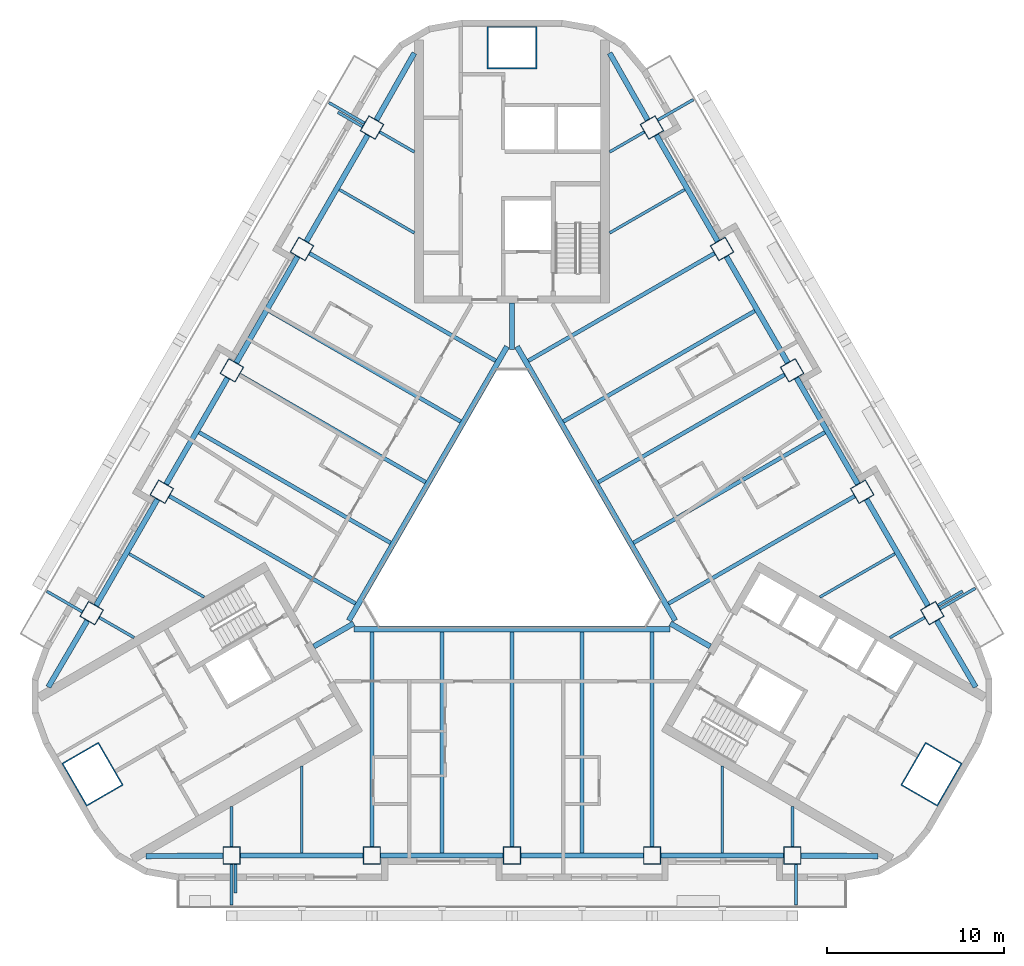
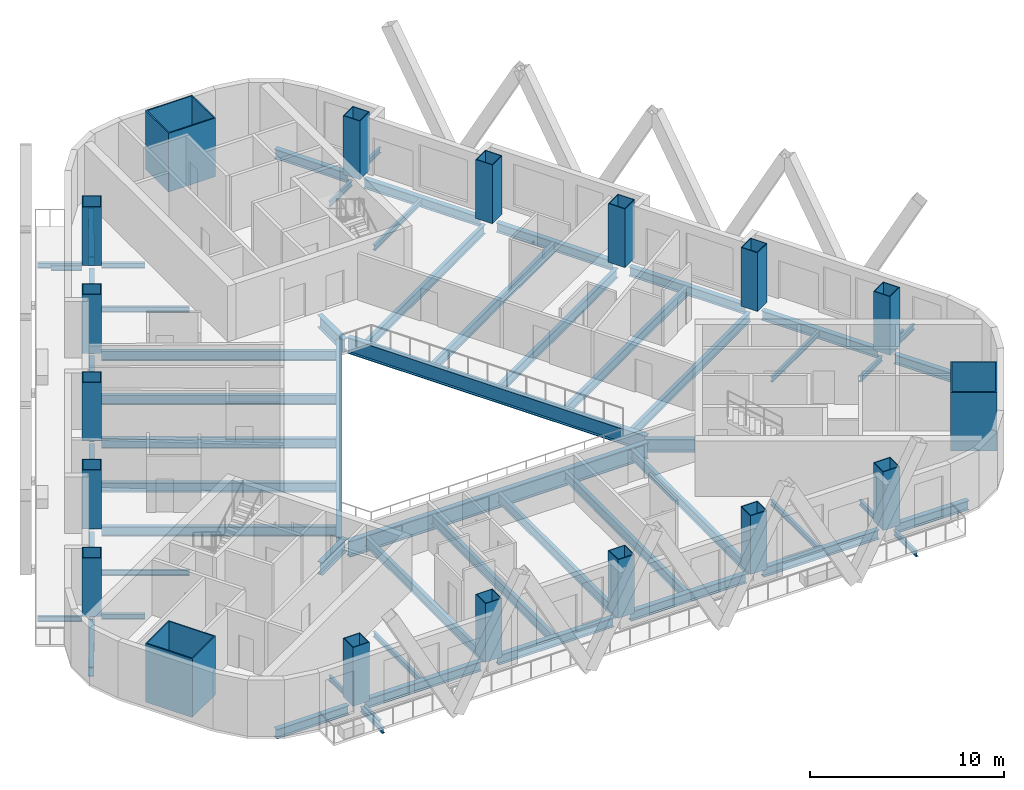
# One storey, part 1 of 14: 60 beams, 18 columns.
"""IFC4 building model written with IfcOpenShell, lengths in metres."""

from ifc_helpers import new_model, si_unit, direction, frame, origin, origin_2d, place, context, subcontext, project, spatial, rectangle, hollow_rectangle, i_section, extrude, material, material_profile, profile_set, type_object, element, save


model = new_model("IFC4")

# Units and contexts
model_context = context("Model", 3, precision=1e-05, world=origin(), true_north=direction((0.0, 1.0)))
body_context = subcontext(model_context, "Body", "Model", "MODEL_VIEW")
ifc_project = project(units=[si_unit("LENGTHUNIT", "METRE"), si_unit("AREAUNIT", "SQUARE_METRE"), si_unit("VOLUMEUNIT", "CUBIC_METRE"), si_unit("PLANEANGLEUNIT", "RADIAN"), si_unit("MASSUNIT", "GRAM", prefix="KILO")], contexts=[model_context])

# Site, building, storey
site_placement = place(None, origin())
site = spatial("IfcSite", under=ifc_project, at=site_placement, CompositionType="ELEMENT")
building_placement = place(site_placement, origin())
building = spatial("IfcBuilding", under=site, at=building_placement, Name="Apuvela Tower Hotel", CompositionType="ELEMENT")
storey_placement = place(building_placement, frame((0.0, 0.0, 53.89990234375)))
storey = spatial("IfcBuildingStorey", under=building, at=storey_placement, Name="L10", CompositionType="ELEMENT", Elevation=53.89990234375)

# Columns
ifc_material_1 = material(Name="Steel S460", Category="steel")
ifc_material_profile_1 = material_profile(ifc_material_1, hollow_rectangle(XDim=2.800048828125, YDim=2.39990234375, WallThickness=0.070068359375, at=origin_2d()), Name="BOX 2800x2400x70")
ifc_material_2 = material(Name="Concrete C80/95", Category="concrete")
ifc_material_profile_2 = material_profile(ifc_material_2, rectangle(XDim=2.659912109375, YDim=2.260009765625, at=origin_2d()), Name="Concrete C80/95 infill")
ifc_profile_set_1 = profile_set([ifc_material_profile_1, ifc_material_profile_2], Name="Steel S460")
column_type_1 = type_object("IfcColumnType", Name="STR-MC mega column BOX 2800x2400x70", PredefinedType="COLUMN", material=ifc_profile_set_1)
for number, where, z_axis, x_axis, name in (
    (1, (0.0, 27.300048828125, 0.0), (0.0, 0.0, 1.0), (1.0, 0.0, 0.0), "Mega column MC2 N"),
    (2, (-23.642578125, -13.64990234375, 0.0), (0.0, 0.0, 1.0), (-0.5, 0.866025403784, 0.0), "Mega column MC2 SW"),
    (3, (23.642578125, -13.64990234375, 0.0), (0.0, 0.0, 1.0), (0.5, 0.866025403784, 0.0), "Mega column MC2 SE"),
):
    element("IfcColumn", number, at=place(storey_placement, frame(where, z_axis=z_axis, x_axis=x_axis)), inside=storey, type_object=column_type_1, Name=name, PredefinedType="COLUMN", context=body_context, shape_type="SweptSolid", body=[
        extrude(hollow_rectangle(XDim=2.800048828125, YDim=2.39990234375, WallThickness=0.070068359375, at=origin_2d()), origin(), (0.0, 0.0, 1.0), 3.7001953125),
    ])
ifc_material_profile_3 = material_profile(ifc_material_1, hollow_rectangle(XDim=1.0, YDim=1.0, WallThickness=0.044921875, at=origin_2d()), Name="BOX 1000x1000x45")
ifc_material_profile_4 = material_profile(ifc_material_2, rectangle(XDim=0.909912109375, YDim=0.909912109375, at=origin_2d()), Name="Concrete C80/95 infill")
ifc_profile_set_2 = profile_set([ifc_material_profile_3, ifc_material_profile_4], Name="Steel S460")
column_type_2 = type_object("IfcColumnType", Name="STR-PC perimeter column BOX 1000x1000x45", PredefinedType="COLUMN", material=ifc_profile_set_2)
for number, where, z_axis, x_axis, name in (
    (4, (-15.800048828125, -18.22998046875, 0.0), (0.0, 0.0, 1.0), (-1.0, 0.0, 0.0), "Perimeter column C2 S1"),
    (5, (-7.89990234375, -18.22998046875, 0.0), (0.0, 0.0, 1.0), (-1.0, 0.0, 0.0), "Perimeter column C2 S2"),
    (6, (0.0, -18.22998046875, 0.0), (0.0, 0.0, 1.0), (-1.0, 0.0, 0.0), "Perimeter column C2 S3"),
    (7, (7.89990234375, -18.22998046875, 0.0), (0.0, 0.0, 1.0), (-1.0, 0.0, 0.0), "Perimeter column C2 S4"),
    (8, (15.800048828125, -18.22998046875, 0.0), (0.0, 0.0, 1.0), (-1.0, 0.0, 0.0), "Perimeter column C2 S5"),
    (9, (23.6875, -4.568115234375, 0.0), (0.0, 0.0, 1.0), (-0.5, 0.866025403784, 0.0), "Perimeter column C2 NE1"),
    (10, (19.737548828125, 2.2734375, 0.0), (0.0, 0.0, 1.0), (-0.5, 0.866025403784, 0.0), "Perimeter column C2 NE2"),
    (11, (15.78759765625, 9.114990234375, 0.0), (0.0, 0.0, 1.0), (-0.5, 0.866025403784, 0.0), "Perimeter column C2 NE3"),
    (12, (11.837646484375, 15.95654296875, 0.0), (0.0, 0.0, 1.0), (-0.5, 0.866025403784, 0.0), "Perimeter column C2 NE4"),
    (13, (7.8876953125, 22.798095703125, 0.0), (0.0, 0.0, 1.0), (-0.5, 0.866025403784, 0.0), "Perimeter column C2 NE5"),
    (14, (-7.8876953125, 22.798095703125, 0.0), (0.0, 0.0, 1.0), (0.5, 0.866025403784, 0.0), "Perimeter column C2 NW1"),
    (15, (-11.837646484375, 15.95654296875, 0.0), (0.0, 0.0, 1.0), (0.5, 0.866025403784, 0.0), "Perimeter column C2 NW2"),
    (16, (-15.78759765625, 9.114990234375, 0.0), (0.0, 0.0, 1.0), (0.5, 0.866025403784, 0.0), "Perimeter column C2 NW3"),
    (17, (-19.737548828125, 2.2734375, 0.0), (0.0, 0.0, 1.0), (0.5, 0.866025403784, 0.0), "Perimeter column C2 NW4"),
    (18, (-23.6875, -4.568115234375, 0.0), (0.0, 0.0, 1.0), (0.5, 0.866025403784, 0.0), "Perimeter column C2 NW5"),
):
    element("IfcColumn", number, at=place(storey_placement, frame(where, z_axis=z_axis, x_axis=x_axis)), inside=storey, type_object=column_type_2, Name=name, PredefinedType="COLUMN", context=body_context, shape_type="SweptSolid", body=[
        extrude(hollow_rectangle(XDim=1.0, YDim=1.0, WallThickness=0.044921875, at=origin_2d()), origin(), (0.0, 0.0, 1.0), 3.7001953125),
    ])

# Beams
ifc_material_3 = material(Name="Steel S355", Category="steel")
ifc_material_profile_5 = material_profile(ifc_material_3, i_section(OverallWidth=0.159912109375, OverallDepth=0.330078125, WebThickness=0.007568359375, FlangeThickness=0.011474609375, at=origin_2d()), Name="IPE 330")
ifc_profile_set_3 = profile_set([ifc_material_profile_5], Name="Steel S355")
beam_type_1 = type_object("IfcBeamType", Name="ENV-BALCONY-BEAM-IPE330", PredefinedType="BEAM", material=ifc_profile_set_3)
beam_1_placement = place(storey_placement, frame((-15.800048828125, -18.72998046875, -0.31494140625), z_axis=(0.0, -1.0, 0.0), x_axis=(1.0, 0.0, 0.0)))
element("IfcBeam", 19, at=beam_1_placement, inside=storey, type_object=beam_type_1, Name="Balcony cantilever beam S1 L10", PredefinedType="BEAM", context=body_context, shape_type="SweptSolid", body=[
    extrude(i_section(OverallWidth=0.159912109375, OverallDepth=0.330078125, WebThickness=0.007568359375, FlangeThickness=0.011474609375, at=origin_2d()), origin(), (0.0, 0.0, 1.0), 2.300048828125),
])
beam_2_placement = place(storey_placement, frame((-15.580078125, -18.72998046875, -0.31494140625), z_axis=(0.0, -1.0, 0.0), x_axis=(1.0, 0.0, 0.0)))
element("IfcBeam", 20, at=beam_2_placement, inside=storey, type_object=beam_type_1, Name="Balcony cantilever beam S2 L10", PredefinedType="BEAM", context=body_context, shape_type="SweptSolid", body=[
    extrude(i_section(OverallWidth=0.159912109375, OverallDepth=0.330078125, WebThickness=0.007568359375, FlangeThickness=0.011474609375, at=origin_2d()), origin(), (0.0, 0.0, 1.0), 1.60009765625),
])
for number, where, z_axis, x_axis, name in (
    (21, (16.0, -18.72998046875, -0.31494140625), (0.0, -1.0, 0.0), (1.0, 0.0, 0.0), "Balcony cantilever beam S3 L10"),
    (22, (24.12060546875, -4.318115234375, -0.31494140625), (0.866053019151, 0.499952165731, 0.0), (-0.499952165731, 0.866053019151, 0.0), "Balcony cantilever beam NE1 L10"),
):
    element("IfcBeam", number, at=place(storey_placement, frame(where, z_axis=z_axis, x_axis=x_axis)), inside=storey, type_object=beam_type_1, Name=name, PredefinedType="BEAM", context=body_context, shape_type="SweptSolid", body=[
        extrude(i_section(OverallWidth=0.159912109375, OverallDepth=0.330078125, WebThickness=0.007568359375, FlangeThickness=0.011474609375, at=origin_2d()), origin(), (0.0, 0.0, 1.0), 2.300048828125),
    ])
beam_3_placement = place(storey_placement, frame((24.0107421875, -4.127685546875, -0.31494140625), z_axis=(0.865989903783, 0.500061482766, 0.0), x_axis=(-0.500061482766, 0.865989903783, 0.0)))
element("IfcBeam", 23, at=beam_3_placement, inside=storey, type_object=beam_type_1, Name="Balcony cantilever beam NE2 L10", PredefinedType="BEAM", context=body_context, shape_type="SweptSolid", body=[
    extrude(i_section(OverallWidth=0.159912109375, OverallDepth=0.330078125, WebThickness=0.007568359375, FlangeThickness=0.011474609375, at=origin_2d()), origin(), (0.0, 0.0, 1.0), 1.599853515625),
])
beam_4_placement = place(storey_placement, frame((8.220703125, 23.221435546875, -0.31494140625), z_axis=(0.86602648383, 0.499998129301, 0.0), x_axis=(-0.499998129301, 0.86602648383, 0.0)))
element("IfcBeam", 24, at=beam_4_placement, inside=storey, type_object=beam_type_1, Name="Balcony cantilever beam NE3 L10", PredefinedType="BEAM", context=body_context, shape_type="SweptSolid", body=[
    extrude(i_section(OverallWidth=0.159912109375, OverallDepth=0.330078125, WebThickness=0.007568359375, FlangeThickness=0.011474609375, at=origin_2d()), origin(), (0.0, 0.0, 1.0), 2.2998046875),
])
beam_5_placement = place(storey_placement, frame((-8.32080078125, 23.048095703125, -0.31494140625), z_axis=(-0.865980515519, 0.500077740698, 0.0), x_axis=(-0.500077740698, -0.865980515519, 0.0)))
element("IfcBeam", 25, at=beam_5_placement, inside=storey, type_object=beam_type_1, Name="Balcony cantilever beam NW1 L10", PredefinedType="BEAM", context=body_context, shape_type="SweptSolid", body=[
    extrude(i_section(OverallWidth=0.159912109375, OverallDepth=0.330078125, WebThickness=0.007568359375, FlangeThickness=0.011474609375, at=origin_2d()), origin(), (0.0, 0.0, 1.0), 2.300048828125),
])
beam_6_placement = place(storey_placement, frame((-8.4306640625, 22.857666015625, -0.31494140625), z_axis=(-0.866028054938, 0.499995408039, 0.0), x_axis=(-0.499995408039, -0.866028054938, 0.0)))
element("IfcBeam", 26, at=beam_6_placement, inside=storey, type_object=beam_type_1, Name="Balcony cantilever beam NW2 L10", PredefinedType="BEAM", context=body_context, shape_type="SweptSolid", body=[
    extrude(i_section(OverallWidth=0.159912109375, OverallDepth=0.330078125, WebThickness=0.007568359375, FlangeThickness=0.011474609375, at=origin_2d()), origin(), (0.0, 0.0, 1.0), 1.60009765625),
])
beam_7_placement = place(storey_placement, frame((-24.220703125, -4.491455078125, -0.31494140625), z_axis=(-0.865980515519, 0.500077740698, 0.0), x_axis=(-0.500077740698, -0.865980515519, 0.0)))
element("IfcBeam", 27, at=beam_7_placement, inside=storey, type_object=beam_type_1, Name="Balcony cantilever beam NW3 L10", PredefinedType="BEAM", context=body_context, shape_type="SweptSolid", body=[
    extrude(i_section(OverallWidth=0.159912109375, OverallDepth=0.330078125, WebThickness=0.007568359375, FlangeThickness=0.011474609375, at=origin_2d()), origin(), (0.0, 0.0, 1.0), 2.300048828125),
])
ifc_material_profile_6 = material_profile(ifc_material_3, i_section(OverallWidth=0.159912109375, OverallDepth=0.330078125, WebThickness=0.007568359375, FlangeThickness=0.011474609375, at=origin_2d()), Name="IPE 330")
ifc_profile_set_4 = profile_set([ifc_material_profile_6], Name="Steel S355")
beam_type_2 = type_object("IfcBeamType", Name="STR-B floor beam IPE 330", PredefinedType="BEAM", material=ifc_profile_set_4)
beam_8_placement = place(storey_placement, frame((23.254638671875, -4.818115234375, -0.31494140625), z_axis=(-0.865991034588, -0.500059524469, 0.0), x_axis=(0.500059524469, -0.865991034588, 0.0)))
element("IfcBeam", 28, at=beam_8_placement, inside=storey, type_object=beam_type_2, Name="Floor beam B1 NE1", PredefinedType="BEAM", context=body_context, shape_type="SweptSolid", body=[
    extrude(i_section(OverallWidth=0.159912109375, OverallDepth=0.330078125, WebThickness=0.007568359375, FlangeThickness=0.011474609375, at=origin_2d()), origin(), (0.0, 0.0, 1.0), 2.257080078125),
])
for number, where, z_axis, x_axis, name in (
    (29, (21.582763671875, -1.222412109375, -0.31494140625), (-0.866015056278, -0.500017921979, 0.0), (0.500017921979, -0.866015056278, 0.0), "Floor beam B1 NE2"),
    (30, (9.732666015625, 19.302490234375, -0.31494140625), (-0.866015056278, -0.500017921979, 0.0), (0.500017921979, -0.866015056278, 0.0), "Floor beam B1 NE8"),
):
    element("IfcBeam", number, at=place(storey_placement, frame(where, z_axis=z_axis, x_axis=x_axis)), inside=storey, type_object=beam_type_2, Name=name, PredefinedType="BEAM", context=body_context, shape_type="SweptSolid", body=[
        extrude(i_section(OverallWidth=0.159912109375, OverallDepth=0.330078125, WebThickness=0.007568359375, FlangeThickness=0.011474609375, at=origin_2d()), origin(), (0.0, 0.0, 1.0), 4.887451171875),
    ])
for number, where, z_axis, x_axis, name in (
    (31, (7.45458984375, 22.548095703125, -0.31494140625), (-0.86603787505, -0.499978398512, 0.0), (0.499978398512, -0.86603787505, 0.0), "Floor beam B1 NE9"),
    (32, (-7.45458984375, 22.548095703125, -0.31494140625), (0.86603787505, -0.499978398512, 0.0), (0.499978398512, 0.86603787505, 0.0), "Floor beam B1 NW1"),
):
    element("IfcBeam", number, at=place(storey_placement, frame(where, z_axis=z_axis, x_axis=x_axis)), inside=storey, type_object=beam_type_2, Name=name, PredefinedType="BEAM", context=body_context, shape_type="SweptSolid", body=[
        extrude(i_section(OverallWidth=0.159912109375, OverallDepth=0.330078125, WebThickness=0.007568359375, FlangeThickness=0.011474609375, at=origin_2d()), origin(), (0.0, 0.0, 1.0), 2.2568359375),
    ])
for number, where, z_axis, x_axis, name in (
    (33, (-9.732666015625, 19.302490234375, -0.31494140625), (0.866015056278, -0.500017921979, 0.0), (0.500017921979, 0.866015056278, 0.0), "Floor beam B1 NW2"),
    (34, (-21.582763671875, -1.222412109375, -0.31494140625), (0.866015056278, -0.500017921979, 0.0), (0.500017921979, 0.866015056278, 0.0), "Floor beam B1 NW8"),
):
    element("IfcBeam", number, at=place(storey_placement, frame(where, z_axis=z_axis, x_axis=x_axis)), inside=storey, type_object=beam_type_2, Name=name, PredefinedType="BEAM", context=body_context, shape_type="SweptSolid", body=[
        extrude(i_section(OverallWidth=0.159912109375, OverallDepth=0.330078125, WebThickness=0.007568359375, FlangeThickness=0.011474609375, at=origin_2d()), origin(), (0.0, 0.0, 1.0), 4.887451171875),
    ])
for number, where, z_axis, x_axis, name in (
    (35, (-23.254638671875, -4.818115234375, -0.31494140625), (0.865991034588, -0.500059524469, 0.0), (0.500059524469, 0.865991034588, 0.0), "Floor beam B1 NW9"),
    (36, (-15.800048828125, -17.72998046875, -0.31494140625), (0.0, 1.0, 0.0), (-1.0, 0.0, 0.0), "Floor beam B1 S1"),
):
    element("IfcBeam", number, at=place(storey_placement, frame(where, z_axis=z_axis, x_axis=x_axis)), inside=storey, type_object=beam_type_2, Name=name, PredefinedType="BEAM", context=body_context, shape_type="SweptSolid", body=[
        extrude(i_section(OverallWidth=0.159912109375, OverallDepth=0.330078125, WebThickness=0.007568359375, FlangeThickness=0.011474609375, at=origin_2d()), origin(), (0.0, 0.0, 1.0), 2.257080078125),
    ])
for number, where, z_axis, x_axis, name in (
    (37, (-11.85009765625, -18.080078125, -0.31494140625), (0.0, 1.0, 0.0), (-1.0, 0.0, 0.0), "Floor beam B1 S2"),
    (38, (11.85009765625, -18.080078125, -0.31494140625), (0.0, 1.0, 0.0), (-1.0, 0.0, 0.0), "Floor beam B1 S8"),
):
    element("IfcBeam", number, at=place(storey_placement, frame(where, z_axis=z_axis, x_axis=x_axis)), inside=storey, type_object=beam_type_2, Name=name, PredefinedType="BEAM", context=body_context, shape_type="SweptSolid", body=[
        extrude(i_section(OverallWidth=0.159912109375, OverallDepth=0.330078125, WebThickness=0.007568359375, FlangeThickness=0.011474609375, at=origin_2d()), origin(), (0.0, 0.0, 1.0), 4.8876953125),
    ])
beam_9_placement = place(storey_placement, frame((15.800048828125, -17.72998046875, -0.31494140625), z_axis=(0.0, 1.0, 0.0), x_axis=(-1.0, 0.0, 0.0)))
element("IfcBeam", 39, at=beam_9_placement, inside=storey, type_object=beam_type_2, Name="Floor beam B1 S9", PredefinedType="BEAM", context=body_context, shape_type="SweptSolid", body=[
    extrude(i_section(OverallWidth=0.159912109375, OverallDepth=0.330078125, WebThickness=0.007568359375, FlangeThickness=0.011474609375, at=origin_2d()), origin(), (0.0, 0.0, 1.0), 2.257080078125),
])
ifc_material_profile_7 = material_profile(ifc_material_3, i_section(OverallWidth=0.219970703125, OverallDepth=0.60009765625, WebThickness=0.011962890625, FlangeThickness=0.01904296875, at=origin_2d()), Name="IPE 600")
ifc_profile_set_5 = profile_set([ifc_material_profile_7], Name="Steel S355")
beam_type_3 = type_object("IfcBeamType", Name="STR-B floor beam IPE 600", PredefinedType="BEAM", material=ifc_profile_set_5)
beam_10_placement = place(storey_placement, frame((19.3046875, 2.0234375, -0.449951171875), z_axis=(-0.866027098151, -0.499997065259, 0.0), x_axis=(0.499997065259, -0.866027098151, 0.0)))
element("IfcBeam", 40, at=beam_10_placement, inside=storey, type_object=beam_type_3, Name="Floor beam B8 NE3", PredefinedType="BEAM", context=body_context, shape_type="SweptSolid", body=[
    extrude(i_section(OverallWidth=0.219970703125, OverallDepth=0.60009765625, WebThickness=0.011962890625, FlangeThickness=0.01904296875, at=origin_2d()), origin(), (0.0, 0.0, 1.0), 12.10791015625),
])
beam_11_placement = place(storey_placement, frame((17.6328125, 5.619140625, -0.449951171875), z_axis=(-0.866027636335, -0.499996133089, 0.0), x_axis=(0.499996133089, -0.866027636335, 0.0)))
element("IfcBeam", 41, at=beam_11_placement, inside=storey, type_object=beam_type_3, Name="Floor beam B8 NE4", PredefinedType="BEAM", context=body_context, shape_type="SweptSolid", body=[
    extrude(i_section(OverallWidth=0.219970703125, OverallDepth=0.60009765625, WebThickness=0.011962890625, FlangeThickness=0.01904296875, at=origin_2d()), origin(), (0.0, 0.0, 1.0), 12.4580078125),
])
beam_12_placement = place(storey_placement, frame((15.3544921875, 8.864990234375, -0.449951171875), z_axis=(-0.866022057176, -0.500005796451, 0.0), x_axis=(0.500005796451, -0.866022057176, 0.0)))
element("IfcBeam", 42, at=beam_12_placement, inside=storey, type_object=beam_type_3, Name="Floor beam B8 NE5", PredefinedType="BEAM", context=body_context, shape_type="SweptSolid", body=[
    extrude(i_section(OverallWidth=0.219970703125, OverallDepth=0.60009765625, WebThickness=0.011962890625, FlangeThickness=0.01904296875, at=origin_2d()), origin(), (0.0, 0.0, 1.0), 12.107666015625),
])
beam_13_placement = place(storey_placement, frame((13.6826171875, 12.460693359375, -0.449951171875), z_axis=(-0.866022737053, -0.500004618886, 0.0), x_axis=(0.500004618886, -0.866022737053, 0.0)))
element("IfcBeam", 43, at=beam_13_placement, inside=storey, type_object=beam_type_3, Name="Floor beam B8 NE6", PredefinedType="BEAM", context=body_context, shape_type="SweptSolid", body=[
    extrude(i_section(OverallWidth=0.219970703125, OverallDepth=0.60009765625, WebThickness=0.011962890625, FlangeThickness=0.01904296875, at=origin_2d()), origin(), (0.0, 0.0, 1.0), 12.4580078125),
])
for number, where, z_axis, x_axis, name in (
    (44, (11.404541015625, 15.70654296875, -0.449951171875), (-0.866027098151, -0.499997065259, 0.0), (0.499997065259, -0.866027098151, 0.0), "Floor beam B8 NE7"),
    (45, (-11.404541015625, 15.70654296875, -0.449951171875), (0.866027098151, -0.499997065259, 0.0), (0.499997065259, 0.866027098151, 0.0), "Floor beam B8 NW3"),
):
    element("IfcBeam", number, at=place(storey_placement, frame(where, z_axis=z_axis, x_axis=x_axis)), inside=storey, type_object=beam_type_3, Name=name, PredefinedType="BEAM", context=body_context, shape_type="SweptSolid", body=[
        extrude(i_section(OverallWidth=0.219970703125, OverallDepth=0.60009765625, WebThickness=0.011962890625, FlangeThickness=0.01904296875, at=origin_2d()), origin(), (0.0, 0.0, 1.0), 12.10791015625),
    ])
beam_14_placement = place(storey_placement, frame((-13.6826171875, 12.460693359375, -0.449951171875), z_axis=(0.866022737053, -0.500004618886, 0.0), x_axis=(0.500004618886, 0.866022737053, 0.0)))
element("IfcBeam", 46, at=beam_14_placement, inside=storey, type_object=beam_type_3, Name="Floor beam B8 NW4", PredefinedType="BEAM", context=body_context, shape_type="SweptSolid", body=[
    extrude(i_section(OverallWidth=0.219970703125, OverallDepth=0.60009765625, WebThickness=0.011962890625, FlangeThickness=0.01904296875, at=origin_2d()), origin(), (0.0, 0.0, 1.0), 12.4580078125),
])
beam_15_placement = place(storey_placement, frame((-15.3544921875, 8.864990234375, -0.449951171875), z_axis=(0.866022057176, -0.500005796451, 0.0), x_axis=(0.500005796451, 0.866022057176, 0.0)))
element("IfcBeam", 47, at=beam_15_placement, inside=storey, type_object=beam_type_3, Name="Floor beam B8 NW5", PredefinedType="BEAM", context=body_context, shape_type="SweptSolid", body=[
    extrude(i_section(OverallWidth=0.219970703125, OverallDepth=0.60009765625, WebThickness=0.011962890625, FlangeThickness=0.01904296875, at=origin_2d()), origin(), (0.0, 0.0, 1.0), 12.107666015625),
])
beam_16_placement = place(storey_placement, frame((-17.6328125, 5.619140625, -0.449951171875), z_axis=(0.866027636335, -0.499996133089, 0.0), x_axis=(0.499996133089, 0.866027636335, 0.0)))
element("IfcBeam", 48, at=beam_16_placement, inside=storey, type_object=beam_type_3, Name="Floor beam B8 NW6", PredefinedType="BEAM", context=body_context, shape_type="SweptSolid", body=[
    extrude(i_section(OverallWidth=0.219970703125, OverallDepth=0.60009765625, WebThickness=0.011962890625, FlangeThickness=0.01904296875, at=origin_2d()), origin(), (0.0, 0.0, 1.0), 12.4580078125),
])
for number, where, z_axis, x_axis, name in (
    (49, (-19.3046875, 2.0234375, -0.449951171875), (0.866027098151, -0.499997065259, 0.0), (0.499997065259, 0.866027098151, 0.0), "Floor beam B8 NW7"),
    (50, (-7.89990234375, -17.72998046875, -0.449951171875), (0.0, 1.0, 0.0), (-1.0, 0.0, 0.0), "Floor beam B8 S3"),
):
    element("IfcBeam", number, at=place(storey_placement, frame(where, z_axis=z_axis, x_axis=x_axis)), inside=storey, type_object=beam_type_3, Name=name, PredefinedType="BEAM", context=body_context, shape_type="SweptSolid", body=[
        extrude(i_section(OverallWidth=0.219970703125, OverallDepth=0.60009765625, WebThickness=0.011962890625, FlangeThickness=0.01904296875, at=origin_2d()), origin(), (0.0, 0.0, 1.0), 12.10791015625),
    ])
beam_17_placement = place(storey_placement, frame((-3.949951171875, -18.080078125, -0.449951171875), z_axis=(0.0, 1.0, 0.0), x_axis=(-1.0, 0.0, 0.0)))
element("IfcBeam", 51, at=beam_17_placement, inside=storey, type_object=beam_type_3, Name="Floor beam B8 S4", PredefinedType="BEAM", context=body_context, shape_type="SweptSolid", body=[
    extrude(i_section(OverallWidth=0.219970703125, OverallDepth=0.60009765625, WebThickness=0.011962890625, FlangeThickness=0.01904296875, at=origin_2d()), origin(), (0.0, 0.0, 1.0), 12.4580078125),
])
beam_18_placement = place(storey_placement, frame((0.0, -17.72998046875, -0.449951171875), z_axis=(0.0, 1.0, 0.0), x_axis=(-1.0, 0.0, 0.0)))
element("IfcBeam", 52, at=beam_18_placement, inside=storey, type_object=beam_type_3, Name="Floor beam B8 S5", PredefinedType="BEAM", context=body_context, shape_type="SweptSolid", body=[
    extrude(i_section(OverallWidth=0.219970703125, OverallDepth=0.60009765625, WebThickness=0.011962890625, FlangeThickness=0.01904296875, at=origin_2d()), origin(), (0.0, 0.0, 1.0), 12.10791015625),
])
beam_19_placement = place(storey_placement, frame((3.949951171875, -18.080078125, -0.449951171875), z_axis=(0.0, 1.0, 0.0), x_axis=(-1.0, 0.0, 0.0)))
element("IfcBeam", 53, at=beam_19_placement, inside=storey, type_object=beam_type_3, Name="Floor beam B8 S6", PredefinedType="BEAM", context=body_context, shape_type="SweptSolid", body=[
    extrude(i_section(OverallWidth=0.219970703125, OverallDepth=0.60009765625, WebThickness=0.011962890625, FlangeThickness=0.01904296875, at=origin_2d()), origin(), (0.0, 0.0, 1.0), 12.4580078125),
])
beam_20_placement = place(storey_placement, frame((7.89990234375, -17.72998046875, -0.449951171875), z_axis=(0.0, 1.0, 0.0), x_axis=(-1.0, 0.0, 0.0)))
element("IfcBeam", 54, at=beam_20_placement, inside=storey, type_object=beam_type_3, Name="Floor beam B8 S7", PredefinedType="BEAM", context=body_context, shape_type="SweptSolid", body=[
    extrude(i_section(OverallWidth=0.219970703125, OverallDepth=0.60009765625, WebThickness=0.011962890625, FlangeThickness=0.01904296875, at=origin_2d()), origin(), (0.0, 0.0, 1.0), 12.10791015625),
])
ifc_material_profile_8 = material_profile(ifc_material_3, i_section(OverallWidth=0.302001953125, OverallDepth=1.008056640625, WebThickness=0.02099609375, FlangeThickness=0.0400390625, at=origin_2d()), Name="HE 1000 M")
ifc_profile_set_6 = profile_set([ifc_material_profile_8], Name="Steel S355")
beam_type_4 = type_object("IfcBeamType", Name="STR-G atrium ring girder HE 1000 M", PredefinedType="BEAM", material=ifc_profile_set_6)
for number, where, z_axis, x_axis, name in (
    (55, (-0.28076171875, 10.455810546875, -0.65380859375), (-0.500000611842, -0.866025050537, 0.0), (0.866025050537, -0.500000611842, 0.0), "Atrium ring girder G1 N-SW"),
    (56, (-8.91455078125, -5.470947265625, -0.65380859375), (1.0, 0.0, 0.0), (0.0, 1.0, 0.0), "Atrium ring girder G1 SW-SE"),
    (57, (9.1953125, -4.984619140625, -0.65380859375), (-0.500000611842, 0.866025050537, 0.0), (-0.866025050537, -0.500000611842, 0.0), "Atrium ring girder G1 SE-N"),
):
    element("IfcBeam", number, at=place(storey_placement, frame(where, z_axis=z_axis, x_axis=x_axis)), inside=storey, type_object=beam_type_4, Name=name, PredefinedType="BEAM", context=body_context, shape_type="SweptSolid", body=[
        extrude(i_section(OverallWidth=0.302001953125, OverallDepth=1.008056640625, WebThickness=0.02099609375, FlangeThickness=0.0400390625, at=origin_2d()), origin(), (0.0, 0.0, 1.0), 17.8291015625),
    ])
ifc_material_profile_9 = material_profile(ifc_material_3, i_section(OverallWidth=0.300048828125, OverallDepth=0.800048828125, WebThickness=0.017578125, FlangeThickness=0.032958984375, at=origin_2d()), Name="HE 800 B")
ifc_profile_set_7 = profile_set([ifc_material_profile_9], Name="Steel S355")
beam_type_5 = type_object("IfcBeamType", Name="STR-GT core tie beam HE 800 B", PredefinedType="BEAM", material=ifc_profile_set_7)
for number, where, z_axis, x_axis, name in (
    (58, (0.0, 12.89990234375, -0.5498046875), (0.0, -1.0, 0.0), (1.0, 0.0, 0.0), "Core tie beam GT1 N"),
    (59, (-11.171630859375, -6.449951171875, -0.5498046875), (0.865997922154, 0.500047596559, 0.0), (-0.500047596559, 0.865997922154, 0.0), "Core tie beam GT1 SW"),
    (60, (11.171630859375, -6.449951171875, -0.5498046875), (-0.865997922154, 0.500047596559, 0.0), (-0.500047596559, -0.865997922154, 0.0), "Core tie beam GT1 SE"),
):
    element("IfcBeam", number, at=place(storey_placement, frame(where, z_axis=z_axis, x_axis=x_axis)), inside=storey, type_object=beam_type_5, Name=name, PredefinedType="BEAM", context=body_context, shape_type="SweptSolid", body=[
        extrude(i_section(OverallWidth=0.300048828125, OverallDepth=0.800048828125, WebThickness=0.017578125, FlangeThickness=0.032958984375, at=origin_2d()), origin(), (0.0, 0.0, 1.0), 2.599853515625),
    ])
ifc_material_profile_10 = material_profile(ifc_material_3, i_section(OverallWidth=0.300048828125, OverallDepth=0.590087890625, WebThickness=0.012939453125, FlangeThickness=0.02490234375, at=origin_2d()), Name="HE 600 A")
ifc_profile_set_8 = profile_set([ifc_material_profile_10], Name="Steel S355")
beam_type_6 = type_object("IfcBeamType", Name="STR-SB spandrel beam HE 600 A", PredefinedType="SPANDREL", material=ifc_profile_set_8)
beam_21_placement = place(storey_placement, frame((-15.300048828125, -18.22998046875, -0.44482421875), z_axis=(1.0, 0.0, 0.0), x_axis=(0.0, 1.0, 0.0)))
element("IfcBeam", 61, at=beam_21_placement, inside=storey, type_object=beam_type_6, Name="Spandrel beam SB2 S1", PredefinedType="SPANDREL", context=body_context, shape_type="SweptSolid", body=[
    extrude(i_section(OverallWidth=0.300048828125, OverallDepth=0.590087890625, WebThickness=0.012939453125, FlangeThickness=0.02490234375, at=origin_2d()), origin(), (0.0, 0.0, 1.0), 6.900146484375),
])
for number, where, z_axis, x_axis, name in (
    (62, (-7.39990234375, -18.22998046875, -0.44482421875), (1.0, 0.0, 0.0), (0.0, 1.0, 0.0), "Spandrel beam SB2 S2"),
    (63, (0.5, -18.22998046875, -0.44482421875), (1.0, 0.0, 0.0), (0.0, 1.0, 0.0), "Spandrel beam SB2 S3"),
):
    element("IfcBeam", number, at=place(storey_placement, frame(where, z_axis=z_axis, x_axis=x_axis)), inside=storey, type_object=beam_type_6, Name=name, PredefinedType="SPANDREL", context=body_context, shape_type="SweptSolid", body=[
        extrude(i_section(OverallWidth=0.300048828125, OverallDepth=0.590087890625, WebThickness=0.012939453125, FlangeThickness=0.02490234375, at=origin_2d()), origin(), (0.0, 0.0, 1.0), 6.89990234375),
    ])
beam_22_placement = place(storey_placement, frame((8.39990234375, -18.22998046875, -0.44482421875), z_axis=(1.0, 0.0, 0.0), x_axis=(0.0, 1.0, 0.0)))
element("IfcBeam", 64, at=beam_22_placement, inside=storey, type_object=beam_type_6, Name="Spandrel beam SB2 S4", PredefinedType="SPANDREL", context=body_context, shape_type="SweptSolid", body=[
    extrude(i_section(OverallWidth=0.300048828125, OverallDepth=0.590087890625, WebThickness=0.012939453125, FlangeThickness=0.02490234375, at=origin_2d()), origin(), (0.0, 0.0, 1.0), 6.900146484375),
])
for number, where, z_axis, x_axis, name in (
    (65, (23.4375, -4.13525390625, -0.44482421875), (-0.499994024137, 0.866028853923, 0.0), (-0.866028853923, -0.499994024137, 0.0), "Spandrel beam SB2 NE1"),
    (66, (19.487548828125, 2.706298828125, -0.44482421875), (-0.499994024137, 0.866028853923, 0.0), (-0.866028853923, -0.499994024137, 0.0), "Spandrel beam SB2 NE2"),
    (67, (15.53759765625, 9.548095703125, -0.44482421875), (-0.499994024137, 0.866028853923, 0.0), (-0.866028853923, -0.499994024137, 0.0), "Spandrel beam SB2 NE3"),
    (68, (11.587646484375, 16.3896484375, -0.44482421875), (-0.499994024137, 0.866028853923, 0.0), (-0.866028853923, -0.499994024137, 0.0), "Spandrel beam SB2 NE4"),
    (69, (-8.1376953125, 22.365234375, -0.44482421875), (-0.499994024137, -0.866028853923, 0.0), (0.866028853923, -0.499994024137, 0.0), "Spandrel beam SB2 NW1"),
    (70, (-12.087646484375, 15.523681640625, -0.44482421875), (-0.499994024137, -0.866028853923, 0.0), (0.866028853923, -0.499994024137, 0.0), "Spandrel beam SB2 NW2"),
    (71, (-16.03759765625, 8.681884765625, -0.44482421875), (-0.499994024137, -0.866028853923, 0.0), (0.866028853923, -0.499994024137, 0.0), "Spandrel beam SB2 NW3"),
    (72, (-19.987548828125, 1.84033203125, -0.44482421875), (-0.499994024137, -0.866028853923, 0.0), (0.866028853923, -0.499994024137, 0.0), "Spandrel beam SB2 NW4"),
):
    element("IfcBeam", number, at=place(storey_placement, frame(where, z_axis=z_axis, x_axis=x_axis)), inside=storey, type_object=beam_type_6, Name=name, PredefinedType="SPANDREL", context=body_context, shape_type="SweptSolid", body=[
        extrude(i_section(OverallWidth=0.300048828125, OverallDepth=0.590087890625, WebThickness=0.012939453125, FlangeThickness=0.02490234375, at=origin_2d()), origin(), (0.0, 0.0, 1.0), 6.89990234375),
    ])
for number, where, z_axis, x_axis, name in (
    (73, (-16.300048828125, -18.2333984375, -0.44482421875), (-0.999976372141, -0.00687423888, 0.0), (0.00687423888, -0.999976372141, 0.0), "Spandrel beam SB2 S1-SW"),
    (74, (16.300048828125, -18.2333984375, -0.44482421875), (0.999976372141, -0.00687423888, 0.0), (0.00687423888, 0.999976372141, 0.0), "Spandrel beam SB2 S5-SE"),
    (75, (23.940673828125, -4.99951171875, -0.44482421875), (0.505943625762, -0.862566546738, 0.0), (0.862566546738, 0.505943625762, 0.0), "Spandrel beam SB2 NE1-SE"),
    (76, (7.640625, 23.23291015625, -0.44482421875), (-0.494050066642, 0.869433454412, 0.0), (-0.869433454412, -0.494050066642, 0.0), "Spandrel beam SB2 NE5-N"),
    (77, (-7.640625, 23.23291015625, -0.44482421875), (0.494050066642, 0.869433454412, 0.0), (-0.869433454412, 0.494050066642, 0.0), "Spandrel beam SB2 NW1-N"),
    (78, (-23.940673828125, -4.99951171875, -0.44482421875), (-0.505943625762, -0.862566546738, 0.0), (0.862566546738, -0.505943625762, 0.0), "Spandrel beam SB2 NW5-SW"),
):
    element("IfcBeam", number, at=place(storey_placement, frame(where, z_axis=z_axis, x_axis=x_axis)), inside=storey, type_object=beam_type_6, Name=name, PredefinedType="SPANDREL", context=body_context, shape_type="SweptSolid", body=[
        extrude(i_section(OverallWidth=0.300048828125, OverallDepth=0.590087890625, WebThickness=0.012939453125, FlangeThickness=0.02490234375, at=origin_2d()), origin(), (0.0, 0.0, 1.0), 4.332763671875),
    ])

save(model, "model.ifc")
